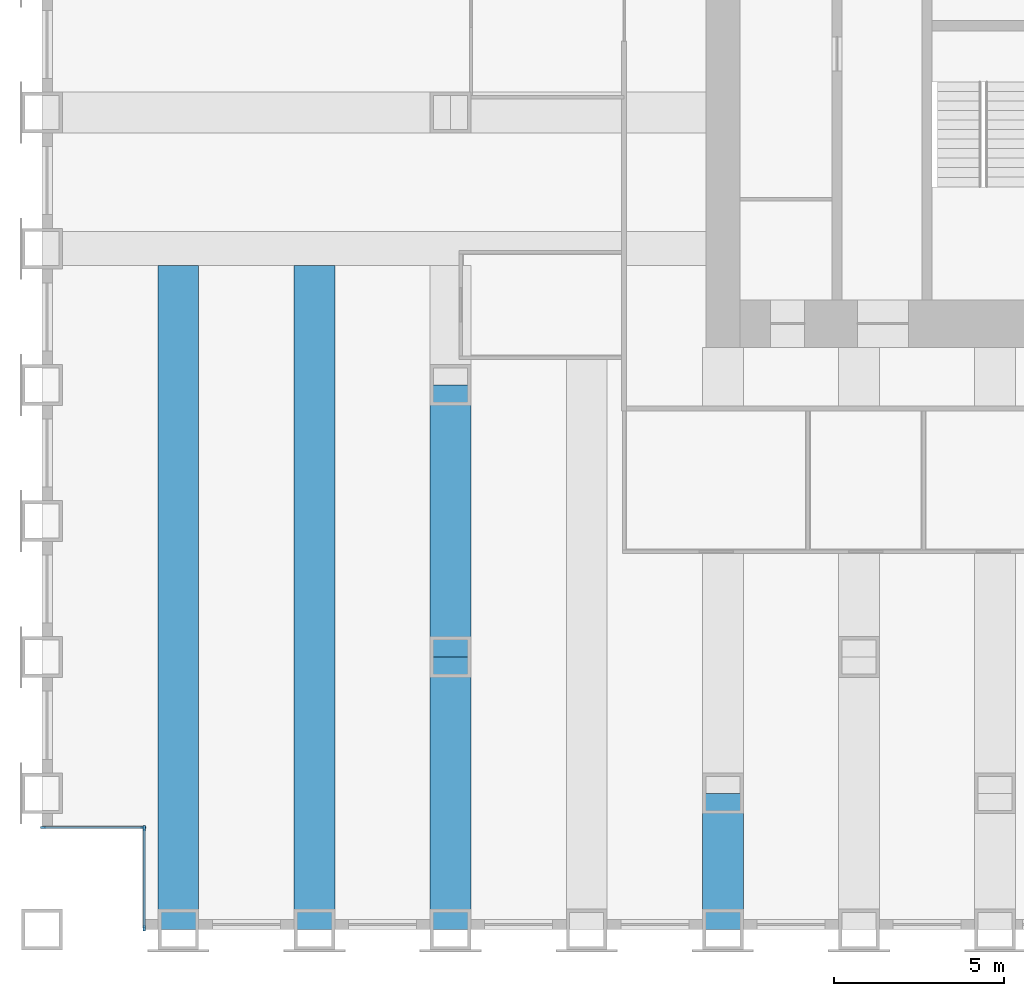
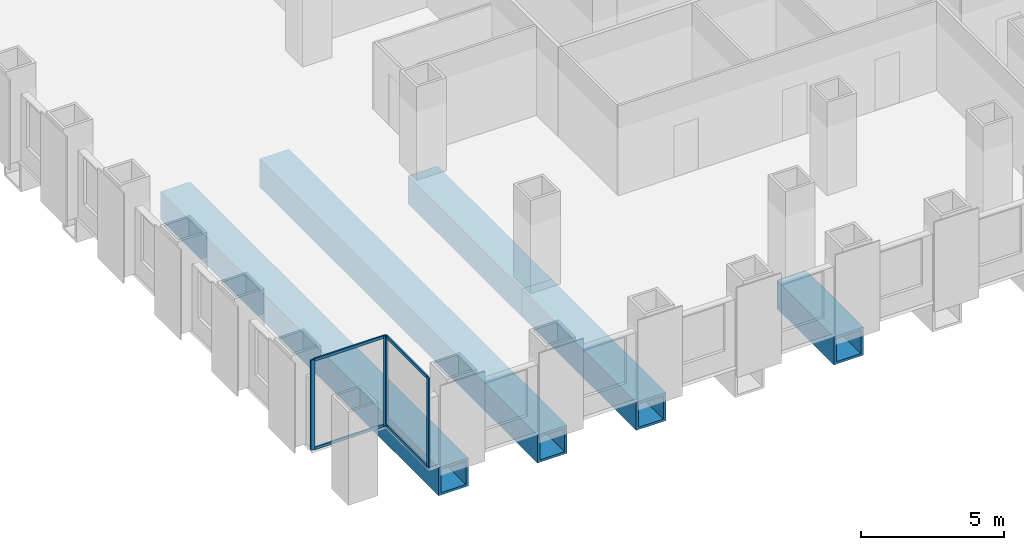
# One storey, part 2 of 14: 8 members, 5 beams, 2 elements without a shape of their own.
"""IFC4 building model written with IfcOpenShell, lengths in metres."""

from ifc_helpers import new_model, si_unit, direction, frame, origin, origin_2d, place, context, subcontext, project, spatial, rectangle, hollow_rectangle, extrude, material, material_profile, profile_set, type_object, element, aggregate, save


model = new_model("IFC4")

# Units and contexts
model_context = context("Model", 3, precision=1e-05, world=origin(), true_north=direction((0.0, 1.0)))
body_context = subcontext(model_context, "Body", "Model", "MODEL_VIEW")
ifc_project = project(units=[si_unit("LENGTHUNIT", "METRE"), si_unit("AREAUNIT", "SQUARE_METRE"), si_unit("VOLUMEUNIT", "CUBIC_METRE"), si_unit("PLANEANGLEUNIT", "RADIAN"), si_unit("MASSUNIT", "GRAM", prefix="KILO")], contexts=[model_context])

# Site, building, storey
site_placement = place(None, origin())
site = spatial("IfcSite", under=ifc_project, at=site_placement, CompositionType="ELEMENT")
building_placement = place(site_placement, origin())
building = spatial("IfcBuilding", under=site, at=building_placement, Name="Rimbunsela Tower", CompositionType="ELEMENT")
storey_placement = place(building_placement, frame((0.0, 0.0, 47.0)))
storey = spatial("IfcBuildingStorey", under=building, at=storey_placement, Name="L11", CompositionType="ELEMENT", Elevation=47.0)

# Beams
ifc_material_1 = material(Name="Steel BJ 55 (fy 410 MPa)", Category="steel")
ifc_material_profile_1 = material_profile(ifc_material_1, hollow_rectangle(XDim=1.199951171875, YDim=1.199951171875, WallThickness=0.10009765625, at=origin_2d()), Name="BOX 1200x1200x100")
ifc_profile_set_1 = profile_set([ifc_material_profile_1], Name="Steel BJ 55 (fy 410 MPa)")
beam_type = type_object("IfcBeamType", Name="Beam BOX 1200x1200x100", PredefinedType="BEAM", material=ifc_profile_set_1)
for number, where, z_axis, x_axis, name in (
    (1, (2.0, 0.0, -0.75), (0.0, 1.0, 0.0), (-1.0, 0.0, 0.0), "Beam B5 L11"),
    (2, (6.0, 0.0, -0.75), (0.0, 1.0, 0.0), (-1.0, 0.0, 0.0), "Beam B5 L11"),
):
    element("IfcBeam", number, at=place(storey_placement, frame(where, z_axis=z_axis, x_axis=x_axis)), inside=storey, type_object=beam_type, Name=name, PredefinedType="BEAM", context=body_context, shape_type="SweptSolid", body=[
        extrude(hollow_rectangle(XDim=1.199951171875, YDim=1.199951171875, WallThickness=0.10009765625, at=origin_2d()), origin(), (0.0, 0.0, 1.0), 19.5),
    ])
for number, where, z_axis, x_axis, name in (
    (3, (10.0, 0.0, -0.75), (0.0, 1.0, 0.0), (-1.0, 0.0, 0.0), "Beam B5 L11"),
    (4, (10.0, 8.0, -0.75), (0.0, 1.0, 0.0), (-1.0, 0.0, 0.0), "Beam B5 L11"),
):
    element("IfcBeam", number, at=place(storey_placement, frame(where, z_axis=z_axis, x_axis=x_axis)), inside=storey, type_object=beam_type, Name=name, PredefinedType="BEAM", context=body_context, shape_type="SweptSolid", body=[
        extrude(hollow_rectangle(XDim=1.199951171875, YDim=1.199951171875, WallThickness=0.10009765625, at=origin_2d()), origin(), (0.0, 0.0, 1.0), 8.0),
    ])
beam_placement = place(storey_placement, frame((18.0, 0.0, -0.75), z_axis=(0.0, 1.0, 0.0), x_axis=(-1.0, 0.0, 0.0)))
element("IfcBeam", 5, at=beam_placement, inside=storey, type_object=beam_type, Name="Beam B5 L11", PredefinedType="BEAM", context=body_context, shape_type="SweptSolid", body=[
    extrude(hollow_rectangle(XDim=1.199951171875, YDim=1.199951171875, WallThickness=0.10009765625, at=origin_2d()), origin(), (0.0, 0.0, 1.0), 4.0),
])

# Curtain wall, members
ifc_material_2 = material(Name="Aluminium curtain wall", Category="aluminium")
curtain_wall_type = type_object("IfcCurtainWallType", Name="Corner glazing", PredefinedType="USERDEFINED", material=ifc_material_2)
curtain_wall_1_placement = place(storey_placement, origin())
curtain_wall_1 = element("IfcCurtainWall", 6, at=curtain_wall_1_placement, inside=storey, type_object=curtain_wall_type, Name="Corner glazing L11", ObjectType="CORNER GLAZING", PredefinedType="USERDEFINED")
ifc_material_3 = material(Name="Aluminium mullion", Category="aluminium")
ifc_material_profile_2 = material_profile(ifc_material_3, rectangle(XDim=0.06005859375, YDim=0.159912109375, at=origin_2d()), Name="Mullion 60x160")
ifc_profile_set_2 = profile_set([ifc_material_profile_2], Name="Aluminium mullion")
member_type_1 = type_object("IfcMemberType", Name="Curtain wall mullion 60x160", PredefinedType="MULLION", material=ifc_profile_set_2)
member_1_placement = place(storey_placement, frame((-1.969970703125, 3.0, 0.0), z_axis=(0.0, 0.0, 1.0), x_axis=(0.0, 1.0, 0.0)))
member_1 = element("IfcMember", 7, at=member_1_placement, type_object=member_type_1, Name="CW5 mullion 1", PredefinedType="MULLION", context=body_context, shape_type="SweptSolid", body=[
    extrude(rectangle(XDim=0.06005859375, YDim=0.159912109375, at=origin_2d()), origin(), (0.0, 0.0, 1.0), 3.85009765625),
])
member_2_placement = place(storey_placement, frame((0.969970703125, 3.0, 0.0), z_axis=(0.0, 0.0, 1.0), x_axis=(0.0, 1.0, 0.0)))
member_2 = element("IfcMember", 8, at=member_2_placement, type_object=member_type_1, Name="CW5 mullion 2", PredefinedType="MULLION", context=body_context, shape_type="SweptSolid", body=[
    extrude(rectangle(XDim=0.06005859375, YDim=0.159912109375, at=origin_2d()), origin(), (0.0, 0.0, 1.0), 3.85009765625),
])

curtain_wall_2_placement = place(storey_placement, origin())
curtain_wall_2 = element("IfcCurtainWall", 9, at=curtain_wall_2_placement, inside=storey, type_object=curtain_wall_type, Name="Corner glazing L11", ObjectType="CORNER GLAZING", PredefinedType="USERDEFINED")
member_3_placement = place(storey_placement, frame((1.0, 2.969970703125, 0.0), z_axis=(0.0, 0.0, 1.0), x_axis=(1.0, 0.0, 0.0)))
member_3 = element("IfcMember", 10, at=member_3_placement, type_object=member_type_1, Name="CW5 mullion 1", PredefinedType="MULLION", context=body_context, shape_type="SweptSolid", body=[
    extrude(rectangle(XDim=0.06005859375, YDim=0.159912109375, at=origin_2d()), origin(), (0.0, 0.0, 1.0), 3.85009765625),
])
member_4_placement = place(storey_placement, frame((1.0, 0.030029296875, 0.0), z_axis=(0.0, 0.0, 1.0), x_axis=(1.0, 0.0, 0.0)))
member_4 = element("IfcMember", 11, at=member_4_placement, type_object=member_type_1, Name="CW5 mullion 2", PredefinedType="MULLION", context=body_context, shape_type="SweptSolid", body=[
    extrude(rectangle(XDim=0.06005859375, YDim=0.159912109375, at=origin_2d()), origin(), (0.0, 0.0, 1.0), 3.85009765625),
])

# Member
ifc_material_4 = material(Name="Aluminium transom", Category="aluminium")
ifc_material_profile_3 = material_profile(ifc_material_4, rectangle(XDim=0.06005859375, YDim=0.1201171875, at=origin_2d()), Name="Transom 60x120")
ifc_profile_set_3 = profile_set([ifc_material_profile_3], Name="Aluminium transom")
member_type_2 = type_object("IfcMemberType", Name="Curtain wall transom 60x120", PredefinedType="USERDEFINED", material=ifc_profile_set_3)
member_5_placement = place(storey_placement, frame((-1.93994140625, 3.0, 0.030029296875), z_axis=(1.0, 0.0, 0.0), x_axis=(0.0, 1.0, 0.0)))
member_5 = element("IfcMember", 12, at=member_5_placement, type_object=member_type_2, Name="CW5 transom 1.1", ObjectType="TRANSOM", PredefinedType="USERDEFINED", context=body_context, shape_type="SweptSolid", body=[
    extrude(rectangle(XDim=0.06005859375, YDim=0.1201171875, at=origin_2d()), origin(), (0.0, 0.0, 1.0), 2.8798828125),
])

member_6_placement = place(storey_placement, frame((-1.93994140625, 3.0, 3.820068359375), z_axis=(1.0, 0.0, 0.0), x_axis=(0.0, 1.0, 0.0)))
member_6 = element("IfcMember", 13, at=member_6_placement, type_object=member_type_2, Name="CW5 transom 1.2", ObjectType="TRANSOM", PredefinedType="USERDEFINED", context=body_context, shape_type="SweptSolid", body=[
    extrude(rectangle(XDim=0.06005859375, YDim=0.1201171875, at=origin_2d()), origin(), (0.0, 0.0, 1.0), 2.8798828125),
])

aggregate(curtain_wall_1, [member_1, member_2, member_5, member_6])

member_7_placement = place(storey_placement, frame((1.0, 2.93994140625, 0.030029296875), z_axis=(0.0, -1.0, 0.0), x_axis=(1.0, 0.0, 0.0)))
member_7 = element("IfcMember", 14, at=member_7_placement, type_object=member_type_2, Name="CW5 transom 1.1", ObjectType="TRANSOM", PredefinedType="USERDEFINED", context=body_context, shape_type="SweptSolid", body=[
    extrude(rectangle(XDim=0.06005859375, YDim=0.1201171875, at=origin_2d()), origin(), (0.0, 0.0, 1.0), 2.8798828125),
])

member_8_placement = place(storey_placement, frame((1.0, 2.93994140625, 3.820068359375), z_axis=(0.0, -1.0, 0.0), x_axis=(1.0, 0.0, 0.0)))
member_8 = element("IfcMember", 15, at=member_8_placement, type_object=member_type_2, Name="CW5 transom 1.2", ObjectType="TRANSOM", PredefinedType="USERDEFINED", context=body_context, shape_type="SweptSolid", body=[
    extrude(rectangle(XDim=0.06005859375, YDim=0.1201171875, at=origin_2d()), origin(), (0.0, 0.0, 1.0), 2.8798828125),
])

aggregate(curtain_wall_2, [member_3, member_4, member_7, member_8])

save(model, "model.ifc")
